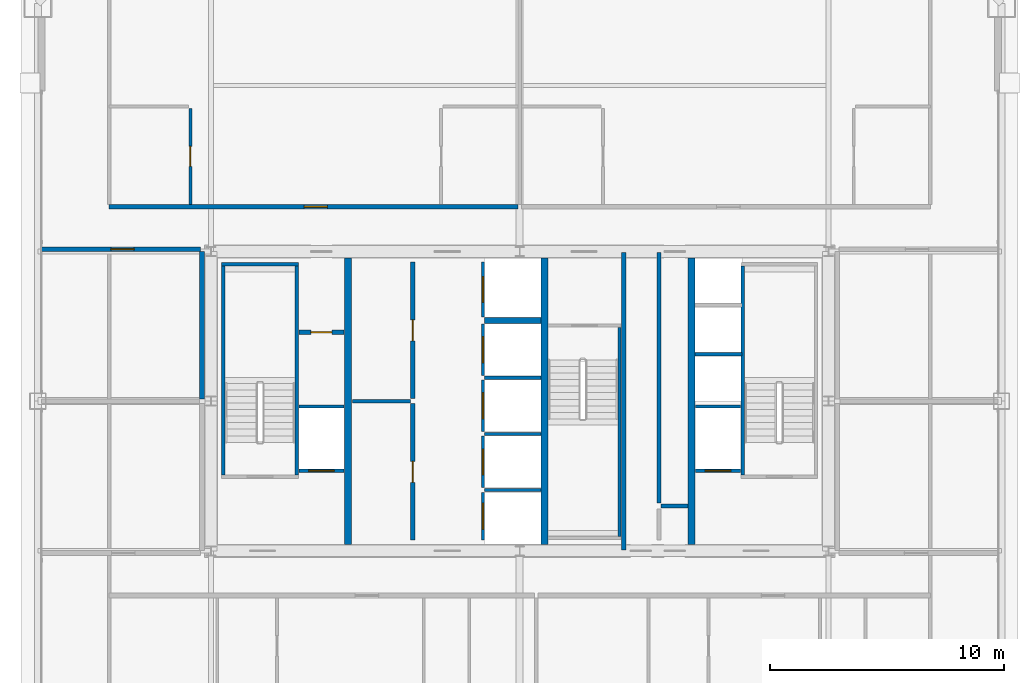
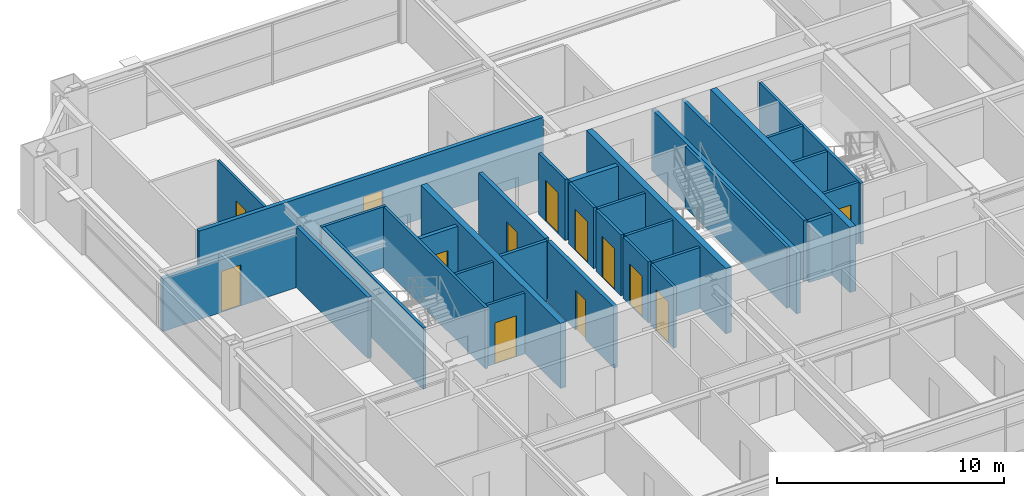
# One storey, part 33 of 36: 33 walls, 13 doors, 13 openings.
"""IFC4 building model written with IfcOpenShell, lengths in metres."""

import ifcopenshell
import ifcopenshell.guid

model = None  # the IFC model being written
_history = None  # IfcOwnerHistory: only IFC2X3 demands one
_inside = {}  # id of a spatial element -> (the spatial element, [elements in it])
_under = {}  # id of a project, library or spatial element -> (it, [spatial elements below it])
_declared = {}  # id of a project -> (the project, [libraries it declares])
_typed = {}  # id of a type object -> (the type object, [elements of that type])
_made_of = {}  # id of a material, layer set ... -> (it, [elements and type objects made of it])


def new_model(schema):
    """Start an empty IFC model of exactly this schema.

    Asked for "IFC4X3", IfcOpenShell would pick the latest addendum, in which some entities
    have other attributes; the version numbers below select the first issue.
    IFC2X3 requires an IfcOwnerHistory on every rooted entity: one is made here for all.
    """
    global model, _history
    if schema == "IFC4X3":
        model = ifcopenshell.file(schema_version=(4, 3, 0, 0))
    else:
        model = ifcopenshell.file(schema=schema)
    _inside.clear()
    _under.clear()
    _declared.clear()
    _typed.clear()
    _made_of.clear()
    _history = None
    if model.schema == "IFC2X3":
        org = make("IfcOrganization", Name="unknown")
        user = make(
            "IfcPersonAndOrganization",
            ThePerson=make("IfcPerson", FamilyName="unknown"),
            TheOrganization=org,
        )
        app = make(
            "IfcApplication",
            ApplicationDeveloper=org,
            Version="unknown",
            ApplicationFullName="unknown",
            ApplicationIdentifier="unknown",
        )
        _history = make(
            "IfcOwnerHistory",
            OwningUser=user,
            OwningApplication=app,
            ChangeAction="ADDED",
            CreationDate=0,
        )
    return model


def make(cls, **values):
    """One entity of the class cls with the attributes given. An attribute that is None is left unset."""
    return model.create_entity(
        cls, **{name: value for name, value in values.items() if value is not None}
    )


def rooted(cls, **values):
    """An entity with a GlobalId (a new one), such as an element, a storey or a relation."""
    return make(cls, GlobalId=ifcopenshell.guid.new(), OwnerHistory=_history, **values)


def si_unit(unit_type, name, prefix=None):
    """IfcSIUnit, for example si_unit("LENGTHUNIT", "METRE", prefix="MILLI")."""
    return make("IfcSIUnit", UnitType=unit_type, Prefix=prefix, Name=name)


def assignment(units):
    """IfcUnitAssignment: the units of a project."""
    return None if units is None else make("IfcUnitAssignment", Units=units)


def point(xyz):
    """IfcCartesianPoint."""
    return None if xyz is None else make("IfcCartesianPoint", Coordinates=xyz)


def direction(xyz):
    """IfcDirection."""
    return None if xyz is None else make("IfcDirection", DirectionRatios=xyz)


def frame(location, z_axis=None, x_axis=None):
    """IfcAxis2Placement3D, a coordinate frame: its origin and axes. An axis left out is left unset."""
    return make(
        "IfcAxis2Placement3D",
        Location=point(location),
        Axis=direction(z_axis),
        RefDirection=direction(x_axis),
    )


def frame_2d(location, x_axis=None):
    """IfcAxis2Placement2D, a coordinate frame in the plane: its origin and x axis."""
    return make(
        "IfcAxis2Placement2D", Location=point(location), RefDirection=direction(x_axis)
    )


def origin():
    """The frame at (0, 0, 0) with its axes left unset."""
    return frame((0.0, 0.0, 0.0))


def place(relative_to, where):
    """IfcLocalPlacement: puts the frame where relative to a parent placement (None: the world)."""
    return make(
        "IfcLocalPlacement", PlacementRelTo=relative_to, RelativePlacement=where
    )


def context(
    kind, dimensions, precision=None, world=None, true_north=None, identifier=None
):
    """IfcGeometricRepresentationContext, for example the 3D "Model" context."""
    return make(
        "IfcGeometricRepresentationContext",
        ContextIdentifier=identifier,
        ContextType=kind,
        CoordinateSpaceDimension=dimensions,
        Precision=precision,
        WorldCoordinateSystem=world,
        TrueNorth=true_north,
    )


def subcontext(parent, identifier, kind, view, scale=None):
    """IfcGeometricRepresentationSubContext, for example "Body" below "Model"."""
    return make(
        "IfcGeometricRepresentationSubContext",
        ContextIdentifier=identifier,
        ContextType=kind,
        ParentContext=parent,
        TargetScale=scale,
        TargetView=view,
    )


def project(units=None, contexts=None):
    """IfcProject with its units and contexts."""
    return rooted(
        "IfcProject",
        Name="project",
        RepresentationContexts=contexts,
        UnitsInContext=assignment(units),
    )


def spatial(cls, under=None, at=None, **own):
    """A site, building, storey or space (cls), placed at a placement, below another one or the project."""
    s = rooted(cls, ObjectPlacement=at, **own)
    if under is not None:
        _under.setdefault(under.id(), (under, []))[1].append(s)
    return s


def profile(cls, at=None, kind="AREA", **sizes):
    """A parametric profile (cls). Its sizes go by their IFC names, for example OverallWidth=200.0."""
    return make(cls, ProfileType=kind, Position=at, **sizes)


def rectangle(**sizes):
    """IfcRectangleProfileDef."""
    return profile("IfcRectangleProfileDef", **sizes)


def extrude(swept, where, along, depth):
    """IfcExtrudedAreaSolid: the profile swept, set in the frame where, extruded along a direction by depth."""
    return make(
        "IfcExtrudedAreaSolid",
        SweptArea=swept,
        Position=where,
        ExtrudedDirection=direction(along),
        Depth=depth,
    )


def shape(context_of_items, identifier, shape_type, items):
    """IfcShapeRepresentation: the items that make up one representation, for example the "Body"."""
    return make(
        "IfcShapeRepresentation",
        ContextOfItems=context_of_items,
        RepresentationIdentifier=identifier,
        RepresentationType=shape_type,
        Items=items,
    )


def source(mapping_origin, context_of_items, identifier, shape_type, items):
    """IfcRepresentationMap: a shape defined once, which mapped items show again and again."""
    return make(
        "IfcRepresentationMap",
        MappingOrigin=mapping_origin,
        MappedRepresentation=shape(context_of_items, identifier, shape_type, items),
    )


def transform(
    local_origin,
    x_axis=None,
    y_axis=None,
    z_axis=None,
    scale=None,
    scale2=None,
    scale3=None,
    uniform=True,
):
    """IfcCartesianTransformationOperator3D, or its non-uniform kind. x_axis, y_axis, z_axis: its Axis1, 2, 3."""
    if uniform:
        return make(
            "IfcCartesianTransformationOperator3D",
            Axis1=direction(x_axis),
            Axis2=direction(y_axis),
            LocalOrigin=point(local_origin),
            Scale=scale,
            Axis3=direction(z_axis),
        )
    return make(
        "IfcCartesianTransformationOperator3DnonUniform",
        Axis1=direction(x_axis),
        Axis2=direction(y_axis),
        LocalOrigin=point(local_origin),
        Scale=scale,
        Axis3=direction(z_axis),
        Scale2=scale2,
        Scale3=scale3,
    )


def mapped(mapping_source, mapping_target):
    """IfcMappedItem: shows the shape of a source again, moved by a transform."""
    return make(
        "IfcMappedItem", MappingSource=mapping_source, MappingTarget=mapping_target
    )


def material(Name=None, Category=None):
    """IfcMaterial."""
    return make("IfcMaterial", Name=Name, Category=Category)


def layer(
    of_material, thickness, ventilated=None, Name=None, Category=None, Priority=None
):
    """IfcMaterialLayer: one layer of a wall or slab, of a material (None: an air gap)."""
    return make(
        "IfcMaterialLayer",
        Material=of_material,
        LayerThickness=thickness,
        IsVentilated=ventilated,
        Name=Name,
        Category=Category,
        Priority=Priority,
    )


def layer_set(layers, Name=None):
    """IfcMaterialLayerSet."""
    return make("IfcMaterialLayerSet", MaterialLayers=layers, LayerSetName=Name)


def made_of(thing, what):
    """Note that an element or type object is made of a material, layer set ...; save() writes the relation."""
    if what is not None:
        _made_of.setdefault(what.id(), (what, []))[1].append(thing)
    return thing


def type_object(cls, material=None, **own):
    """A type object (cls), such as IfcWallType, which elements share."""
    return made_of(rooted(cls, **own), material)


def element(
    cls,
    number,
    at=None,
    inside=None,
    cuts=None,
    type_object=None,
    material=None,
    context=None,
    identifier="Body",
    shape_type=None,
    held_by="IfcProductDefinitionShape",
    body=None,
    shapes=None,
    **own,
):
    """One element of the class cls, such as IfcWall. Its Tag is "e" and its number.

    at: its placement. inside: the storey or other place that contains it. cuts: it is an
    opening in that element (IfcRelVoidsElement). A single representation is given by context,
    identifier, shape_type and body (its items); several are given by shapes. held_by: the class
    of the entity that holds the representations. save() writes the other relations.
    """
    e = rooted(cls, Tag="e%d" % number, ObjectPlacement=at, **own)
    if body is not None:
        shapes = [shape(context, identifier, shape_type, body)]
    if shapes is not None:
        e.Representation = make(held_by, Representations=shapes)
    if inside is not None:
        _inside.setdefault(inside.id(), (inside, []))[1].append(e)
    if cuts is not None:
        rooted(
            "IfcRelVoidsElement", RelatingBuildingElement=cuts, RelatedOpeningElement=e
        )
    if type_object is not None:
        _typed.setdefault(type_object.id(), (type_object, []))[1].append(e)
    return made_of(e, material)


def fill(opening, filler):
    """IfcRelFillsElement: the door or window that sits in an opening."""
    return rooted(
        "IfcRelFillsElement",
        RelatingOpeningElement=opening,
        RelatedBuildingElement=filler,
    )


def aggregate(whole, parts):
    """IfcRelAggregates: a whole, such as a stair, and the parts it consists of."""
    return rooted("IfcRelAggregates", RelatingObject=whole, RelatedObjects=parts)


def save(model, path):
    """Write the relations noted so far, then the file.

    IfcRelAggregates (storeys below a building ...), IfcRelContainedInSpatialStructure (elements
    in a storey), IfcRelDefinesByType, IfcRelAssociatesMaterial and IfcRelDeclares: one each for
    every whole, place, type object, material and project.
    """
    for whole, parts in _under.values():
        aggregate(whole, parts)
    for where, things in _inside.values():
        rooted(
            "IfcRelContainedInSpatialStructure",
            RelatedElements=things,
            RelatingStructure=where,
        )
    for kind, things in _typed.values():
        rooted("IfcRelDefinesByType", RelatedObjects=things, RelatingType=kind)
    for what, things in _made_of.values():
        rooted("IfcRelAssociatesMaterial", RelatedObjects=things, RelatingMaterial=what)
    for by, libraries in _declared.values():
        rooted("IfcRelDeclares", RelatingContext=by, RelatedDefinitions=libraries)
    model.write(path)


model = new_model("IFC4")

# Units and contexts
model_context = context("Model", 3, precision=1e-05, world=origin(), true_north=direction((0.0, 1.0)))
body_context = subcontext(model_context, "Body", "Model", "MODEL_VIEW")
ifc_project = project(units=[si_unit("LENGTHUNIT", "METRE"), si_unit("AREAUNIT", "SQUARE_METRE"), si_unit("VOLUMEUNIT", "CUBIC_METRE"), si_unit("PLANEANGLEUNIT", "RADIAN"), si_unit("MASSUNIT", "GRAM", prefix="KILO"), si_unit("THERMODYNAMICTEMPERATUREUNIT", "KELVIN"), si_unit("POWERUNIT", "WATT")], contexts=[model_context])

# Site, building, storey
site_placement = place(None, origin())
site = spatial("IfcSite", under=ifc_project, at=site_placement, CompositionType="ELEMENT")
building_placement = place(site_placement, origin())
building = spatial("IfcBuilding", under=site, at=building_placement, Name="Yuzanri Waterfront Tower", CompositionType="ELEMENT")
storey_placement = place(building_placement, frame((0.0, 0.0, 224.10009765625)))
storey = spatial("IfcBuildingStorey", under=building, at=storey_placement, Name="L59", CompositionType="ELEMENT", Elevation=224.10009765625)

# Wall, opening, door
ifc_material_1 = material(Name="Moisture-Resistant Gypsum Stud Wall", Category="gypsum")
ifc_layer_1 = layer(ifc_material_1, 0.1201171875)
ifc_layer_set_1 = layer_set([ifc_layer_1], Name="Moisture-Resistant Gypsum Stud Wall")
wall_type_1 = type_object("IfcWallType", Name="Bathroom and Kitchen Wet Partition 120", PredefinedType="PARTITIONING", material=ifc_layer_set_1)
wall_1_placement = place(storey_placement, frame((22.919921875, 34.2099609375, 0.0), z_axis=(0.0, 0.0, 1.0), x_axis=(0.0, 1.0, 0.0)))
wall_1 = element("IfcWall", 1, at=wall_1_placement, inside=storey, type_object=wall_type_1, Name="L59 Partition UW-L59-RN1-SUB-1-E", PredefinedType="PARTITIONING", context=body_context, shape_type="SweptSolid", body=[
    extrude(rectangle(XDim=4.110107421875, YDim=0.1201171875, at=frame_2d((2.05517578125, 0.0))), origin(), (0.0, 0.0, 1.0), 3.27978515625),
])
opening_1_placement = place(wall_1_placement, frame((1.6298828125, 0.0, 0.0)))
opening_1 = element("IfcOpeningElement", 2, at=opening_1_placement, cuts=wall_1, Name="Opening ID-0850", PredefinedType="OPENING", context=body_context, shape_type="SweptSolid", body=[
    extrude(rectangle(XDim=0.85009765625, YDim=2.10009765625, at=frame_2d((0.425048828125, 1.050048828125))), frame((0.0, 0.074951171875, 0.0), z_axis=(0.0, -1.0, 0.0), x_axis=(1.0, 0.0, 0.0)), (0.0, 0.0, 1.0), 0.14990234375),
])
ifc_material_2 = material(Name="Moisture-Resistant Lacquered Timber", Category="wood")
door_type_1 = type_object("IfcDoorType", Name="En-Suite Bathroom and Kitchen Swing Door 850x2100", OperationType="NOTDEFINED", PredefinedType="DOOR", material=ifc_material_2)
shared_shape_1 = source(origin(), body_context, "Body", "SweptSolid", [
    extrude(rectangle(XDim=0.85009765625, YDim=2.10009765625, at=frame_2d((0.425048828125, 1.050048828125))), frame((0.0, 0.02490234375, 0.0), z_axis=(0.0, -1.0, 0.0), x_axis=(1.0, 0.0, 0.0)), (0.0, 0.0, 1.0), 0.050048828125),
])
door_1_placement = place(opening_1_placement, origin())
door_1 = element("IfcDoor", 3, at=door_1_placement, inside=storey, type_object=door_type_1, Name="L59 Suite Interior Room Door", OperationType="SINGLE_SWING_LEFT", OverallHeight=2.10009765625, OverallWidth=0.85009765625, PredefinedType="DOOR", context=body_context, shape_type="MappedRepresentation", body=[
    mapped(shared_shape_1, transform((0.0, 0.0, 0.0), scale=1.0)),
])
fill(opening_1, door_1)

ifc_material_3 = material(Name="Concrete C40", Category="concrete")
ifc_layer_2 = layer(ifc_material_3, 0.139892578125)
ifc_layer_set_2 = layer_set([ifc_layer_2], Name="Concrete C40")
wall_type_2 = type_object("IfcWallType", Name="Core Stair Liner and Hoistway Shaft Wall 140", PredefinedType="SOLIDWALL", material=ifc_layer_set_2)
wall_2_placement = place(storey_placement, frame((27.56005859375, 22.830078125, 0.0), z_axis=(0.0, 0.0, 1.0), x_axis=(1.0, 0.0, 0.0)))
wall_2 = element("IfcWall", 4, at=wall_2_placement, inside=storey, type_object=wall_type_2, Name="L59 Lift FL-01 Front Shaft Wall", PredefinedType="SOLIDWALL", context=body_context, shape_type="SweptSolid", body=[
    extrude(rectangle(XDim=1.919921875, YDim=0.139892578125, at=frame_2d((0.9599609375, 0.0))), origin(), (0.0, 0.0, 1.0), 3.27978515625),
])
opening_2_placement = place(wall_2_placement, frame((0.409912109375, 0.0, 0.0)))
opening_2 = element("IfcOpeningElement", 5, at=opening_2_placement, cuts=wall_2, Name="Opening LD-FL-01", PredefinedType="OPENING", context=body_context, shape_type="SweptSolid", body=[
    extrude(rectangle(XDim=1.10009765625, YDim=2.199951171875, at=frame_2d((0.550048828125, 1.10009765625))), frame((0.0, 0.0849609375, 0.0), z_axis=(0.0, -1.0, 0.0), x_axis=(1.0, 0.0, 0.0)), (0.0, 0.0, 1.0), 0.169677734375),
])
ifc_material_4 = material(Name="Brushed Bronze and Stainless Steel Cab", Category="steel")
door_type_2 = type_object("IfcDoorType", Name="Center-Parting Bronze Lift Landing Sliding Door 1100x2200", OperationType="NOTDEFINED", PredefinedType="DOOR", material=ifc_material_4)
shared_shape_2 = source(origin(), body_context, "Body", "SweptSolid", [
    extrude(rectangle(XDim=1.10009765625, YDim=2.199951171875, at=frame_2d((0.550048828125, 1.10009765625))), frame((0.0, 0.02490234375, 0.0), z_axis=(0.0, -1.0, 0.0), x_axis=(1.0, 0.0, 0.0)), (0.0, 0.0, 1.0), 0.050048828125),
])
door_2_placement = place(opening_2_placement, origin())
door_2 = element("IfcDoor", 6, at=door_2_placement, inside=storey, type_object=door_type_2, Name="L59 FL-01 Lift Landing Sliding Door", OperationType="SLIDING_TO_LEFT", OverallHeight=2.199951171875, OverallWidth=1.10009765625, PredefinedType="DOOR", context=body_context, shape_type="MappedRepresentation", body=[
    mapped(shared_shape_2, transform((0.0, 0.0, 0.0), scale=1.0)),
])
fill(opening_2, door_2)

wall_3_placement = place(storey_placement, frame((44.52001953125, 22.830078125, 0.0), z_axis=(0.0, 0.0, 1.0), x_axis=(1.0, 0.0, 0.0)))
wall_3 = element("IfcWall", 7, at=wall_3_placement, inside=storey, type_object=wall_type_2, Name="L59 Lift FL-02 Front Shaft Wall", PredefinedType="SOLIDWALL", context=body_context, shape_type="SweptSolid", body=[
    extrude(rectangle(XDim=1.919921875, YDim=0.139892578125, at=frame_2d((0.9599609375, 0.0))), origin(), (0.0, 0.0, 1.0), 3.27978515625),
])
opening_3_placement = place(wall_3_placement, frame((0.409912109375, 0.0, 0.0)))
opening_3 = element("IfcOpeningElement", 8, at=opening_3_placement, cuts=wall_3, Name="Opening LD-FL-02", PredefinedType="OPENING", context=body_context, shape_type="SweptSolid", body=[
    extrude(rectangle(XDim=1.10009765625, YDim=2.199951171875, at=frame_2d((0.550048828125, 1.10009765625))), frame((0.0, 0.0849609375, 0.0), z_axis=(0.0, -1.0, 0.0), x_axis=(1.0, 0.0, 0.0)), (0.0, 0.0, 1.0), 0.169677734375),
])
door_3_placement = place(opening_3_placement, origin())
door_3 = element("IfcDoor", 9, at=door_3_placement, inside=storey, type_object=door_type_2, Name="L59 FL-02 Lift Landing Sliding Door", OperationType="SLIDING_TO_RIGHT", OverallHeight=2.199951171875, OverallWidth=1.10009765625, PredefinedType="DOOR", context=body_context, shape_type="MappedRepresentation", body=[
    mapped(shared_shape_2, transform((0.0, 0.0, 0.0), scale=1.0)),
])
fill(opening_3, door_3)

wall_4_placement = place(storey_placement, frame((35.429931640625, 19.860107421875, 0.0), z_axis=(0.0, 0.0, 1.0), x_axis=(0.0, 1.0, 0.0)))
wall_4 = element("IfcWall", 10, at=wall_4_placement, inside=storey, type_object=wall_type_2, Name="L59 Lift PL-05 Front Shaft Wall", PredefinedType="SOLIDWALL", context=body_context, shape_type="SweptSolid", body=[
    extrude(rectangle(XDim=2.039794921875, YDim=0.139892578125, at=frame_2d((1.02001953125, 0.0))), origin(), (0.0, 0.0, 1.0), 3.27978515625),
])
opening_4_placement = place(wall_4_placement, frame((0.469970703125, 0.0, 0.0)))
opening_4 = element("IfcOpeningElement", 11, at=opening_4_placement, cuts=wall_4, Name="Opening LD-PL-05", PredefinedType="OPENING", context=body_context, shape_type="SweptSolid", body=[
    extrude(rectangle(XDim=1.10009765625, YDim=2.199951171875, at=frame_2d((0.550048828125, 1.10009765625))), frame((0.0, 0.0849609375, 0.0), z_axis=(0.0, -1.0, 0.0), x_axis=(1.0, 0.0, 0.0)), (0.0, 0.0, 1.0), 0.169677734375),
])
door_4_placement = place(opening_4_placement, origin())
door_4 = element("IfcDoor", 12, at=door_4_placement, inside=storey, type_object=door_type_2, Name="L59 PL-05 Lift Landing Sliding Door", OperationType="SLIDING_TO_RIGHT", OverallHeight=2.199951171875, OverallWidth=1.10009765625, PredefinedType="DOOR", context=body_context, shape_type="MappedRepresentation", body=[
    mapped(shared_shape_2, transform((0.0, 0.0, 0.0), scale=1.0)),
])
fill(opening_4, door_4)

wall_5_placement = place(storey_placement, frame((35.429931640625, 22.10009765625, 0.0), z_axis=(0.0, 0.0, 1.0), x_axis=(0.0, 1.0, 0.0)))
wall_5 = element("IfcWall", 13, at=wall_5_placement, inside=storey, type_object=wall_type_2, Name="L59 Lift PL-06 Front Shaft Wall", PredefinedType="SOLIDWALL", context=body_context, shape_type="SweptSolid", body=[
    extrude(rectangle(XDim=2.199951171875, YDim=0.139892578125, at=frame_2d((1.10009765625, 0.0))), origin(), (0.0, 0.0, 1.0), 3.27978515625),
])
opening_5_placement = place(wall_5_placement, frame((0.550048828125, 0.0, 0.0)))
opening_5 = element("IfcOpeningElement", 14, at=opening_5_placement, cuts=wall_5, Name="Opening LD-PL-06", PredefinedType="OPENING", context=body_context, shape_type="SweptSolid", body=[
    extrude(rectangle(XDim=1.10009765625, YDim=2.199951171875, at=frame_2d((0.550048828125, 1.10009765625))), frame((0.0, 0.0849609375, 0.0), z_axis=(0.0, -1.0, 0.0), x_axis=(1.0, 0.0, 0.0)), (0.0, 0.0, 1.0), 0.169677734375),
])
door_5_placement = place(opening_5_placement, origin())
door_5 = element("IfcDoor", 15, at=door_5_placement, inside=storey, type_object=door_type_2, Name="L59 PL-06 Lift Landing Sliding Door", OperationType="SLIDING_TO_LEFT", OverallHeight=2.199951171875, OverallWidth=1.10009765625, PredefinedType="DOOR", context=body_context, shape_type="MappedRepresentation", body=[
    mapped(shared_shape_2, transform((0.0, 0.0, 0.0), scale=1.0)),
])
fill(opening_5, door_5)

wall_6_placement = place(storey_placement, frame((35.429931640625, 24.5, 0.0), z_axis=(0.0, 0.0, 1.0), x_axis=(0.0, 1.0, 0.0)))
wall_6 = element("IfcWall", 16, at=wall_6_placement, inside=storey, type_object=wall_type_2, Name="L59 Lift PL-07 Front Shaft Wall", PredefinedType="SOLIDWALL", context=body_context, shape_type="SweptSolid", body=[
    extrude(rectangle(XDim=2.199951171875, YDim=0.139892578125, at=frame_2d((1.10009765625, 0.0))), origin(), (0.0, 0.0, 1.0), 3.27978515625),
])
opening_6_placement = place(wall_6_placement, frame((0.550048828125, 0.0, 0.0)))
opening_6 = element("IfcOpeningElement", 17, at=opening_6_placement, cuts=wall_6, Name="Opening LD-PL-07", PredefinedType="OPENING", context=body_context, shape_type="SweptSolid", body=[
    extrude(rectangle(XDim=1.10009765625, YDim=2.199951171875, at=frame_2d((0.550048828125, 1.10009765625))), frame((0.0, 0.0849609375, 0.0), z_axis=(0.0, -1.0, 0.0), x_axis=(1.0, 0.0, 0.0)), (0.0, 0.0, 1.0), 0.169677734375),
])
door_6_placement = place(opening_6_placement, origin())
door_6 = element("IfcDoor", 18, at=door_6_placement, inside=storey, type_object=door_type_2, Name="L59 PL-07 Lift Landing Sliding Door", OperationType="SLIDING_TO_RIGHT", OverallHeight=2.199951171875, OverallWidth=1.10009765625, PredefinedType="DOOR", context=body_context, shape_type="MappedRepresentation", body=[
    mapped(shared_shape_2, transform((0.0, 0.0, 0.0), scale=1.0)),
])
fill(opening_6, door_6)

wall_7_placement = place(storey_placement, frame((35.429931640625, 26.89990234375, 0.0), z_axis=(0.0, 0.0, 1.0), x_axis=(0.0, 1.0, 0.0)))
wall_7 = element("IfcWall", 19, at=wall_7_placement, inside=storey, type_object=wall_type_2, Name="L59 Lift PL-08 Front Shaft Wall", PredefinedType="SOLIDWALL", context=body_context, shape_type="SweptSolid", body=[
    extrude(rectangle(XDim=2.2001953125, YDim=0.139892578125, at=frame_2d((1.10009765625, 0.0))), origin(), (0.0, 0.0, 1.0), 3.27978515625),
])
opening_7_placement = place(wall_7_placement, frame((0.550048828125, 0.0, 0.0)))
opening_7 = element("IfcOpeningElement", 20, at=opening_7_placement, cuts=wall_7, Name="Opening LD-PL-08", PredefinedType="OPENING", context=body_context, shape_type="SweptSolid", body=[
    extrude(rectangle(XDim=1.10009765625, YDim=2.199951171875, at=frame_2d((0.550048828125, 1.10009765625))), frame((0.0, 0.0849609375, 0.0), z_axis=(0.0, -1.0, 0.0), x_axis=(1.0, 0.0, 0.0)), (0.0, 0.0, 1.0), 0.169677734375),
])
door_7_placement = place(opening_7_placement, origin())
door_7 = element("IfcDoor", 21, at=door_7_placement, inside=storey, type_object=door_type_2, Name="L59 PL-08 Lift Landing Sliding Door", OperationType="SLIDING_TO_LEFT", OverallHeight=2.199951171875, OverallWidth=1.10009765625, PredefinedType="DOOR", context=body_context, shape_type="MappedRepresentation", body=[
    mapped(shared_shape_2, transform((0.0, 0.0, 0.0), scale=1.0)),
])
fill(opening_7, door_7)

wall_8_placement = place(storey_placement, frame((35.429931640625, 29.39990234375, 0.0), z_axis=(0.0, 0.0, 1.0), x_axis=(0.0, 1.0, 0.0)))
wall_8 = element("IfcWall", 22, at=wall_8_placement, inside=storey, type_object=wall_type_2, Name="L59 Lift SL-02 Front Shaft Wall", PredefinedType="SOLIDWALL", context=body_context, shape_type="SweptSolid", body=[
    extrude(rectangle(XDim=2.340087890625, YDim=0.139892578125, at=frame_2d((1.169921875, 0.0))), origin(), (0.0, 0.0, 1.0), 3.27978515625),
])
opening_8_placement = place(wall_8_placement, frame((0.6201171875, 0.0, 0.0)))
opening_8 = element("IfcOpeningElement", 23, at=opening_8_placement, cuts=wall_8, Name="Opening LD-SL-02", PredefinedType="OPENING", context=body_context, shape_type="SweptSolid", body=[
    extrude(rectangle(XDim=1.10009765625, YDim=2.199951171875, at=frame_2d((0.550048828125, 1.10009765625))), frame((0.0, 0.0849609375, 0.0), z_axis=(0.0, -1.0, 0.0), x_axis=(1.0, 0.0, 0.0)), (0.0, 0.0, 1.0), 0.169677734375),
])
door_8_placement = place(opening_8_placement, origin())
door_8 = element("IfcDoor", 24, at=door_8_placement, inside=storey, type_object=door_type_2, Name="L59 SL-02 Lift Landing Sliding Door", OperationType="SLIDING_TO_RIGHT", OverallHeight=2.199951171875, OverallWidth=1.10009765625, PredefinedType="DOOR", context=body_context, shape_type="MappedRepresentation", body=[
    mapped(shared_shape_2, transform((0.0, 0.0, 0.0), scale=1.0)),
])
fill(opening_8, door_8)

ifc_material_5 = material(Name="Autoclaved Aerated Concrete Blockwork", Category="masonry")
ifc_layer_3 = layer(ifc_material_5, 0.199951171875)
ifc_layer_set_3 = layer_set([ifc_layer_3], Name="Autoclaved Aerated Concrete Blockwork")
wall_type_3 = type_object("IfcWallType", Name="Corridor and Unit Party Fire Wall 200", PredefinedType="PARTITIONING", material=ifc_layer_set_3)
wall_9_placement = place(storey_placement, frame((27.56005859375, 28.75, 0.0), z_axis=(0.0, 0.0, 1.0), x_axis=(1.0, 0.0, 0.0)))
wall_9 = element("IfcWall", 25, at=wall_9_placement, inside=storey, type_object=wall_type_3, Name="L59 Partition CRW-L59-ERTR", PredefinedType="PARTITIONING", context=body_context, shape_type="SweptSolid", body=[
    extrude(rectangle(XDim=1.919921875, YDim=0.199951171875, at=frame_2d((0.9599609375, 0.0))), origin(), (0.0, 0.0, 1.0), 3.27978515625),
])
opening_9_placement = place(wall_9_placement, frame((0.510009765625, 0.0, 0.0)))
opening_9 = element("IfcOpeningElement", 26, at=opening_9_placement, cuts=wall_9, Name="Opening FD-0900", PredefinedType="OPENING", context=body_context, shape_type="SweptSolid", body=[
    extrude(rectangle(XDim=0.89990234375, YDim=2.14990234375, at=frame_2d((0.449951171875, 1.074951171875))), frame((0.0, 0.11474609375, 0.0), z_axis=(0.0, -1.0, 0.0), x_axis=(1.0, 0.0, 0.0)), (0.0, 0.0, 1.0), 0.229736328125),
])
ifc_material_6 = material(Name="Painted Galvanized Fire Steel", Category="steel")
door_type_3 = type_object("IfcDoorType", Name="Riser and Service Room Fire Door 900x2150", OperationType="NOTDEFINED", PredefinedType="DOOR", material=ifc_material_6)
shared_shape_3 = source(origin(), body_context, "Body", "SweptSolid", [
    extrude(rectangle(XDim=0.89990234375, YDim=2.14990234375, at=frame_2d((0.449951171875, 1.074951171875))), frame((0.0, 0.02490234375, 0.0), z_axis=(0.0, -1.0, 0.0), x_axis=(1.0, 0.0, 0.0)), (0.0, 0.0, 1.0), 0.050048828125),
])
door_9_placement = place(opening_9_placement, origin())
door_9 = element("IfcDoor", 27, at=door_9_placement, inside=storey, type_object=door_type_3, Name="L59 Electrical Riser Door", OperationType="SINGLE_SWING_RIGHT", OverallHeight=2.14990234375, OverallWidth=0.89990234375, PredefinedType="DOOR", context=body_context, shape_type="MappedRepresentation", body=[
    mapped(shared_shape_3, transform((0.0, 0.0, 0.0), scale=1.0)),
])
fill(opening_9, door_9)

wall_10_placement = place(storey_placement, frame((32.419921875, 19.860107421875, 0.0), z_axis=(0.0, 0.0, 1.0), x_axis=(0.0, 1.0, 0.0)))
wall_10 = element("IfcWall", 28, at=wall_10_placement, inside=storey, type_object=wall_type_3, Name="L59 Partition CRW-L59-B1R-1", PredefinedType="PARTITIONING", context=body_context, shape_type="SweptSolid", body=[
    extrude(rectangle(XDim=5.83984375, YDim=0.199951171875, at=frame_2d((2.919921875, 0.0))), origin(), (0.0, 0.0, 1.0), 3.27978515625),
])
opening_10_placement = place(wall_10_placement, frame((2.469970703125, 0.0, 0.0)))
opening_10 = element("IfcOpeningElement", 29, at=opening_10_placement, cuts=wall_10, Name="Opening FD-0900", PredefinedType="OPENING", context=body_context, shape_type="SweptSolid", body=[
    extrude(rectangle(XDim=0.89990234375, YDim=2.14990234375, at=frame_2d((0.449951171875, 1.074951171875))), frame((0.0, 0.11474609375, 0.0), z_axis=(0.0, -1.0, 0.0), x_axis=(1.0, 0.0, 0.0)), (0.0, 0.0, 1.0), 0.229736328125),
])
door_10_placement = place(opening_10_placement, origin())
door_10 = element("IfcDoor", 30, at=door_10_placement, inside=storey, type_object=door_type_3, Name="L59 South Private Store Room", OperationType="SINGLE_SWING_LEFT", OverallHeight=2.14990234375, OverallWidth=0.89990234375, PredefinedType="DOOR", context=body_context, shape_type="MappedRepresentation", body=[
    mapped(shared_shape_3, transform((0.0, 0.0, 0.0), scale=1.0)),
])
fill(opening_10, door_10)

wall_11_placement = place(storey_placement, frame((32.419921875, 25.919921875, 0.0), z_axis=(0.0, 0.0, 1.0), x_axis=(0.0, 1.0, 0.0)))
wall_11 = element("IfcWall", 31, at=wall_11_placement, inside=storey, type_object=wall_type_3, Name="L59 Partition CRW-L59-B1R-2", PredefinedType="PARTITIONING", context=body_context, shape_type="SweptSolid", body=[
    extrude(rectangle(XDim=5.820068359375, YDim=0.199951171875, at=frame_2d((2.91015625, 0.0))), origin(), (0.0, 0.0, 1.0), 3.27978515625),
])
opening_11_placement = place(wall_11_placement, frame((2.4599609375, 0.0, 0.0)))
opening_11 = element("IfcOpeningElement", 32, at=opening_11_placement, cuts=wall_11, Name="Opening FD-0900", PredefinedType="OPENING", context=body_context, shape_type="SweptSolid", body=[
    extrude(rectangle(XDim=0.89990234375, YDim=2.14990234375, at=frame_2d((0.449951171875, 1.074951171875))), frame((0.0, 0.11474609375, 0.0), z_axis=(0.0, -1.0, 0.0), x_axis=(1.0, 0.0, 0.0)), (0.0, 0.0, 1.0), 0.229736328125),
])
door_11_placement = place(opening_11_placement, origin())
door_11 = element("IfcDoor", 33, at=door_11_placement, inside=storey, type_object=door_type_3, Name="L59 North Private Store Room", OperationType="SINGLE_SWING_RIGHT", OverallHeight=2.14990234375, OverallWidth=0.89990234375, PredefinedType="DOOR", context=body_context, shape_type="MappedRepresentation", body=[
    mapped(shared_shape_3, transform((0.0, 0.0, 0.0), scale=1.0)),
])
fill(opening_11, door_11)

wall_12_placement = place(storey_placement, frame((19.43994140625, 34.110107421875, 0.0), z_axis=(0.0, 0.0, 1.0), x_axis=(1.0, 0.0, 0.0)))
wall_12 = element("IfcWall", 34, at=wall_12_placement, inside=storey, type_object=wall_type_3, Name="L59 Partition UW-L59-RN1-CS", PredefinedType="PARTITIONING", context=body_context, shape_type="SweptSolid", body=[
    extrude(rectangle(XDim=17.47998046875, YDim=0.199951171875, at=frame_2d((8.739990234375, 0.0))), origin(), (0.0, 0.0, 1.0), 3.27978515625),
])
opening_12_placement = place(wall_12_placement, frame((8.340087890625, 0.0, 0.0)))
opening_12 = element("IfcOpeningElement", 35, at=opening_12_placement, cuts=wall_12, Name="Opening FD-1000", PredefinedType="OPENING", context=body_context, shape_type="SweptSolid", body=[
    extrude(rectangle(XDim=1.0, YDim=2.199951171875, at=frame_2d((0.5, 1.10009765625))), frame((0.0, 0.11474609375, 0.0), z_axis=(0.0, -1.0, 0.0), x_axis=(1.0, 0.0, 0.0)), (0.0, 0.0, 1.0), 0.229736328125),
])
ifc_material_7 = material(Name="Engineered Oak Fire-Rated Timber", Category="wood")
door_type_4 = type_object("IfcDoorType", Name="Guestroom and Apartment Entrance Fire Door 1000x2200", OperationType="NOTDEFINED", PredefinedType="DOOR", material=ifc_material_7)
shared_shape_4 = source(origin(), body_context, "Body", "SweptSolid", [
    extrude(rectangle(XDim=1.0, YDim=2.199951171875, at=frame_2d((0.5, 1.10009765625))), frame((0.0, 0.02490234375, 0.0), z_axis=(0.0, -1.0, 0.0), x_axis=(1.0, 0.0, 0.0)), (0.0, 0.0, 1.0), 0.050048828125),
])
door_12_placement = place(opening_12_placement, origin())
door_12 = element("IfcDoor", 36, at=door_12_placement, inside=storey, type_object=door_type_4, Name="L59 Studio Living and Sleeping Room Entrance Door", OperationType="SINGLE_SWING_RIGHT", OverallHeight=2.199951171875, OverallWidth=1.0, PredefinedType="DOOR", context=body_context, shape_type="MappedRepresentation", body=[
    mapped(shared_shape_4, transform((0.0, 0.0, 0.0), scale=1.0)),
])
fill(opening_12, door_12)

wall_13_placement = place(storey_placement, frame((16.550048828125, 32.2900390625, 0.0), z_axis=(0.0, 0.0, 1.0), x_axis=(1.0, 0.0, 0.0)))
wall_13 = element("IfcWall", 37, at=wall_13_placement, inside=storey, type_object=wall_type_3, Name="L59 Partition UW-L59-040-CN", PredefinedType="PARTITIONING", context=body_context, shape_type="SweptSolid", body=[
    extrude(rectangle(XDim=6.800048828125, YDim=0.199951171875, at=frame_2d((3.39990234375, 0.0))), origin(), (0.0, 0.0, 1.0), 2.824951171875),
])
opening_13_placement = place(wall_13_placement, frame((2.965087890625, 0.0, 0.0)))
opening_13 = element("IfcOpeningElement", 38, at=opening_13_placement, cuts=wall_13, Name="Opening FD-1000", PredefinedType="OPENING", context=body_context, shape_type="SweptSolid", body=[
    extrude(rectangle(XDim=1.0, YDim=2.199951171875, at=frame_2d((0.5, 1.10009765625))), frame((0.0, 0.11474609375, 0.0), z_axis=(0.0, -1.0, 0.0), x_axis=(1.0, 0.0, 0.0)), (0.0, 0.0, 1.0), 0.229736328125),
])
door_13_placement = place(opening_13_placement, origin())
door_13 = element("IfcDoor", 39, at=door_13_placement, inside=storey, type_object=door_type_4, Name="L59 Residents W Seminar Meeting Room Entrance Door", OperationType="SINGLE_SWING_LEFT", OverallHeight=2.199951171875, OverallWidth=1.0, PredefinedType="DOOR", context=body_context, shape_type="MappedRepresentation", body=[
    mapped(shared_shape_4, transform((0.0, 0.0, 0.0), scale=1.0)),
])
fill(opening_13, door_13)

# Walls
ifc_material_8 = material(Name="Concrete C50", Category="concrete")
ifc_layer_4 = layer(ifc_material_8, 0.300048828125)
ifc_layer_set_4 = layer_set([ifc_layer_4], Name="Concrete C50")
wall_type_4 = type_object("IfcWallType", Name="Concrete C50 Internal Core Shaft Structural Wall 300", PredefinedType="SOLIDWALL", material=ifc_layer_set_4)
shared_shape_5 = source(origin(), body_context, "Body", "SweptSolid", [
    extrude(rectangle(XDim=12.25, YDim=0.300048828125, at=frame_2d((6.125, 0.0))), origin(), (0.0, 0.0, 1.0), 3.5),
])
for number, where, z_axis, x_axis, name in (
    (40, (29.64990234375, 19.675048828125, 0.0), (0.0, 0.0, 1.0), (0.0, 1.0, 0.0), "L59 Core Internal Structural Web Wall 1"),
    (41, (38.050048828125, 19.675048828125, 0.0), (0.0, 0.0, 1.0), (0.0, 1.0, 0.0), "L59 Core Internal Structural Web Wall 2"),
    (42, (44.35009765625, 19.675048828125, 0.0), (0.0, 0.0, 1.0), (0.0, 1.0, 0.0), "L59 Core Internal Structural Web Wall 3"),
):
    element("IfcWall", number, at=place(storey_placement, frame(where, z_axis=z_axis, x_axis=x_axis)), inside=storey, type_object=wall_type_4, Name=name, PredefinedType="SOLIDWALL", context=body_context, shape_type="MappedRepresentation", body=[
        mapped(shared_shape_5, transform((0.0, 0.0, 0.0), scale=1.0)),
    ])
shared_shape_6 = source(origin(), body_context, "Body", "SweptSolid", [
    extrude(rectangle(XDim=1.919921875, YDim=0.139892578125, at=frame_2d((0.9599609375, 0.0))), origin(), (0.0, 0.0, 1.0), 3.27978515625),
])
for number, where, z_axis, x_axis, name in (
    (43, (27.56005859375, 25.570068359375, 0.0), (0.0, 0.0, 1.0), (1.0, 0.0, 0.0), "L59 Lift FL-01 Back Shaft Wall"),
    (44, (44.52001953125, 25.570068359375, 0.0), (0.0, 0.0, 1.0), (1.0, 0.0, 0.0), "L59 Lift FL-02 Back Shaft Wall"),
):
    element("IfcWall", number, at=place(storey_placement, frame(where, z_axis=z_axis, x_axis=x_axis)), inside=storey, type_object=wall_type_2, Name=name, PredefinedType="SOLIDWALL", context=body_context, shape_type="MappedRepresentation", body=[
        mapped(shared_shape_6, transform((0.0, 0.0, 0.0), scale=1.0)),
    ])
shared_shape_7 = source(origin(), body_context, "Body", "SweptSolid", [
    extrude(rectangle(XDim=2.39990234375, YDim=0.139892578125, at=frame_2d((1.199951171875, 0.0))), origin(), (0.0, 0.0, 1.0), 3.27978515625),
])
for number, where, z_axis, x_axis, name in (
    (45, (35.5, 22.0, 0.0), (0.0, 0.0, 1.0), (1.0, 0.0, 0.0), "L59 Lift PL-05 Divider Wall"),
    (46, (35.5, 24.39990234375, 0.0), (0.0, 0.0, 1.0), (1.0, 0.0, 0.0), "L59 Lift PL-06 Divider Wall"),
    (47, (35.5, 26.800048828125, 0.0), (0.0, 0.0, 1.0), (1.0, 0.0, 0.0), "L59 Lift PL-07 Divider Wall"),
):
    element("IfcWall", number, at=place(storey_placement, frame(where, z_axis=z_axis, x_axis=x_axis)), inside=storey, type_object=wall_type_2, Name=name, PredefinedType="SOLIDWALL", context=body_context, shape_type="MappedRepresentation", body=[
        mapped(shared_shape_7, transform((0.0, 0.0, 0.0), scale=1.0)),
    ])
ifc_material_9 = material(Name="Concrete C40", Category="concrete")
ifc_layer_5 = layer(ifc_material_9, 0.25)
ifc_layer_set_5 = layer_set([ifc_layer_5], Name="Concrete C40")
wall_type_5 = type_object("IfcWallType", Name="Smoke-Proof Stair and Lift Shaft Wall 250", PredefinedType="SOLIDWALL", material=ifc_layer_set_5)
shared_shape_8 = source(origin(), body_context, "Body", "SweptSolid", [
    extrude(rectangle(XDim=2.39990234375, YDim=0.25, at=frame_2d((1.199951171875, 0.0))), origin(), (0.0, 0.0, 1.0), 3.27978515625),
])
wall_14_placement = place(storey_placement, frame((35.5, 29.25, 0.0), z_axis=(0.0, 0.0, 1.0), x_axis=(1.0, 0.0, 0.0)))
element("IfcWall", 48, at=wall_14_placement, inside=storey, type_object=wall_type_5, Name="L59 Lift SL-02 South Shaft Wall", PredefinedType="SOLIDWALL", context=body_context, shape_type="MappedRepresentation", body=[
    mapped(shared_shape_8, transform((0.0, 0.0, 0.0), scale=1.0)),
])
shared_shape_9 = source(origin(), body_context, "Body", "SweptSolid", [
    extrude(rectangle(XDim=2.0, YDim=0.139892578125, at=frame_2d((1.0, 0.0))), origin(), (0.0, 0.0, 1.0), 3.27978515625),
])
wall_15_placement = place(storey_placement, frame((44.5, 27.800048828125, 0.0), z_axis=(0.0, 0.0, 1.0), x_axis=(1.0, 0.0, 0.0)))
element("IfcWall", 49, at=wall_15_placement, inside=storey, type_object=wall_type_2, Name="L59 Lift PL-09 Divider Wall", PredefinedType="SOLIDWALL", context=body_context, shape_type="MappedRepresentation", body=[
    mapped(shared_shape_9, transform((0.0, 0.0, 0.0), scale=1.0)),
])
shared_shape_10 = source(origin(), body_context, "Body", "SweptSolid", [
    extrude(rectangle(XDim=3.280029296875, YDim=0.139892578125, at=frame_2d((1.64013671875, 0.0))), origin(), (0.0, 0.0, 1.0), 3.27978515625),
])
wall_16_placement = place(storey_placement, frame((24.260009765625, 31.64990234375, 0.0), z_axis=(0.0, 0.0, 1.0), x_axis=(1.0, 0.0, 0.0)))
element("IfcWall", 50, at=wall_16_placement, inside=storey, type_object=wall_type_2, Name="L59 Stair ST-01 North Shaft Wall", PredefinedType="SOLIDWALL", context=body_context, shape_type="MappedRepresentation", body=[
    mapped(shared_shape_10, transform((0.0, 0.0, 0.0), scale=1.0)),
])
shared_shape_11 = source(origin(), body_context, "Body", "SweptSolid", [
    extrude(rectangle(XDim=8.940185546875, YDim=0.139892578125, at=frame_2d((4.47021484375, 0.0))), origin(), (0.0, 0.0, 1.0), 3.27978515625),
])
for number, where, z_axis, x_axis, name in (
    (51, (24.330078125, 22.639892578125, 0.0), (0.0, 0.0, 1.0), (0.0, 1.0, 0.0), "L59 Stair ST-01 West Shaft Wall"),
    (52, (27.469970703125, 22.639892578125, 0.0), (0.0, 0.0, 1.0), (0.0, 1.0, 0.0), "L59 Stair ST-01 East Shaft Wall"),
    (53, (46.530029296875, 22.639892578125, 0.0), (0.0, 0.0, 1.0), (0.0, 1.0, 0.0), "L59 Stair ST-02 West Shaft Wall"),
):
    element("IfcWall", number, at=place(storey_placement, frame(where, z_axis=z_axis, x_axis=x_axis)), inside=storey, type_object=wall_type_2, Name=name, PredefinedType="SOLIDWALL", context=body_context, shape_type="MappedRepresentation", body=[
        mapped(shared_shape_11, transform((0.0, 0.0, 0.0), scale=1.0)),
    ])
shared_shape_12 = source(origin(), body_context, "Body", "SweptSolid", [
    extrude(rectangle(XDim=8.93994140625, YDim=0.139892578125, at=frame_2d((4.469970703125, 0.0))), origin(), (0.0, 0.0, 1.0), 3.27978515625),
])
wall_17_placement = place(storey_placement, frame((41.27001953125, 20.02001953125, 0.0), z_axis=(0.0, 0.0, 1.0), x_axis=(0.0, 1.0, 0.0)))
element("IfcWall", 54, at=wall_17_placement, inside=storey, type_object=wall_type_2, Name="L59 Stair ST-03 East Shaft Wall", PredefinedType="SOLIDWALL", context=body_context, shape_type="MappedRepresentation", body=[
    mapped(shared_shape_12, transform((0.0, 0.0, 0.0), scale=1.0)),
])
ifc_material_10 = material(Name="Gypsum Fireboard Acoustic Stud Wall", Category="gypsum")
ifc_layer_6 = layer(ifc_material_10, 0.159912109375)
ifc_layer_set_6 = layer_set([ifc_layer_6], Name="Gypsum Fireboard Acoustic Stud Wall")
wall_type_6 = type_object("IfcWallType", Name="Acoustic Suite Demising Partition 160", PredefinedType="PARTITIONING", material=ifc_layer_set_6)
shared_shape_13 = source(origin(), body_context, "Body", "SweptSolid", [
    extrude(rectangle(XDim=2.469970703125, YDim=0.159912109375, at=frame_2d((1.23486328125, 0.0))), origin(), (0.0, 0.0, 1.0), 3.27978515625),
])
wall_18_placement = place(storey_placement, frame((29.85009765625, 25.800048828125, 0.0), z_axis=(0.0, 0.0, 1.0), x_axis=(1.0, 0.0, 0.0)))
element("IfcWall", 55, at=wall_18_placement, inside=storey, type_object=wall_type_6, Name="L59 Reclaimed Core Divider 2", PredefinedType="PARTITIONING", context=body_context, shape_type="MappedRepresentation", body=[
    mapped(shared_shape_13, transform((0.0, 0.0, 0.0), scale=1.0)),
])
shared_shape_14 = source(origin(), body_context, "Body", "SweptSolid", [
    extrude(rectangle(XDim=1.169921875, YDim=0.159912109375, at=frame_2d((0.5849609375, 0.0))), origin(), (0.0, 0.0, 1.0), 3.27978515625),
])
wall_19_placement = place(storey_placement, frame((43.030029296875, 21.320068359375, 0.0), z_axis=(0.0, 0.0, 1.0), x_axis=(1.0, 0.0, 0.0)))
element("IfcWall", 56, at=wall_19_placement, inside=storey, type_object=wall_type_6, Name="L59 East Wet Riser North Wall", PredefinedType="PARTITIONING", context=body_context, shape_type="MappedRepresentation", body=[
    mapped(shared_shape_14, transform((0.0, 0.0, 0.0), scale=1.0)),
])
shared_shape_15 = source(origin(), body_context, "Body", "SweptSolid", [
    extrude(rectangle(XDim=12.719970703125, YDim=0.199951171875, at=frame_2d((6.35986328125, 0.0))), origin(), (0.0, 0.0, 1.0), 3.27978515625),
])
wall_20_placement = place(storey_placement, frame((41.449951171875, 19.43994140625, 0.0), z_axis=(0.0, 0.0, 1.0), x_axis=(0.0, 1.0, 0.0)))
element("IfcWall", 57, at=wall_20_placement, inside=storey, type_object=wall_type_3, Name="L59 Core BOH West Wall 1", PredefinedType="PARTITIONING", context=body_context, shape_type="MappedRepresentation", body=[
    mapped(shared_shape_15, transform((0.0, 0.0, 0.0), scale=1.0)),
])
shared_shape_16 = source(origin(), body_context, "Body", "SweptSolid", [
    extrude(rectangle(XDim=10.719970703125, YDim=0.159912109375, at=frame_2d((5.35986328125, 0.0))), origin(), (0.0, 0.0, 1.0), 3.27978515625),
])
wall_21_placement = place(storey_placement, frame((42.949951171875, 21.43994140625, 0.0), z_axis=(0.0, 0.0, 1.0), x_axis=(0.0, 1.0, 0.0)))
element("IfcWall", 58, at=wall_21_placement, inside=storey, type_object=wall_type_6, Name="L59 Core BOH Mid Wall 2", PredefinedType="PARTITIONING", context=body_context, shape_type="MappedRepresentation", body=[
    mapped(shared_shape_16, transform((0.0, 0.0, 0.0), scale=1.0)),
])
shared_shape_17 = source(origin(), body_context, "Body", "SweptSolid", [
    extrude(rectangle(XDim=6.2900390625, YDim=0.199951171875, at=frame_2d((3.14501953125, 0.0))), origin(), (0.0, 0.0, 1.0), 3.27978515625),
])
wall_22_placement = place(storey_placement, frame((23.419921875, 25.89990234375, 0.0), z_axis=(0.0, 0.0, 1.0), x_axis=(0.0, 1.0, 0.0)))
element("IfcWall", 59, at=wall_22_placement, inside=storey, type_object=wall_type_3, Name="L59-040 Wing Inner Core-Side Wall", PredefinedType="PARTITIONING", context=body_context, shape_type="MappedRepresentation", body=[
    mapped(shared_shape_17, transform((0.0, 0.0, 0.0), scale=1.0)),
])

save(model, "model.ifc")
